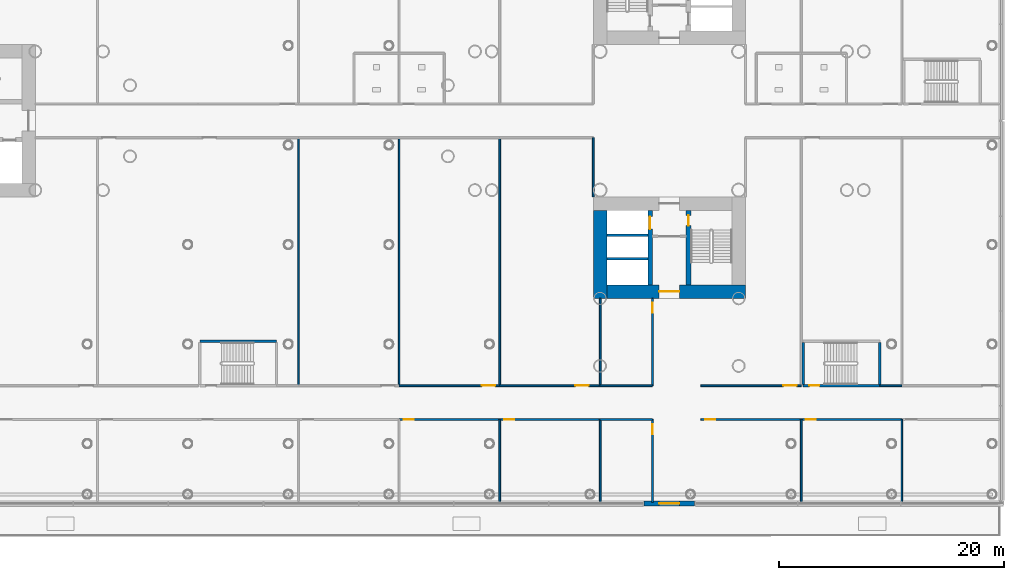
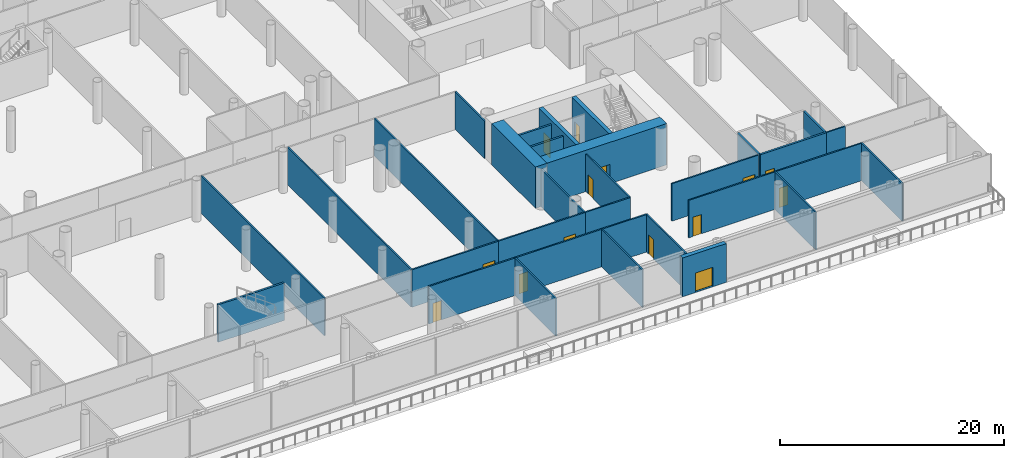
# One storey, part 20 of 51: 32 walls, 14 doors, 14 openings.
"""IFC4 building model written with IfcOpenShell, lengths in metres."""

from ifc_helpers import new_model, si_unit, direction, frame, frame_2d, origin, place, context, subcontext, project, spatial, rectangle, extrude, material, layer, layer_set, type_object, element, fill, save


model = new_model("IFC4")

# Units and contexts
model_context = context("Model", 3, precision=1e-05, world=origin(), true_north=direction((0.0, 1.0)))
body_context = subcontext(model_context, "Body", "Model", "MODEL_VIEW")
ifc_project = project(units=[si_unit("LENGTHUNIT", "METRE"), si_unit("AREAUNIT", "SQUARE_METRE"), si_unit("VOLUMEUNIT", "CUBIC_METRE"), si_unit("PLANEANGLEUNIT", "RADIAN"), si_unit("MASSUNIT", "GRAM", prefix="KILO")], contexts=[model_context])

# Site, building, storey
site_placement = place(None, origin())
site = spatial("IfcSite", under=ifc_project, at=site_placement, CompositionType="ELEMENT")
building_placement = place(site_placement, origin())
building = spatial("IfcBuilding", under=site, at=building_placement, Name="Ipe Terrace Towers", CompositionType="ELEMENT")
storey_placement = place(building_placement, frame((0.0, 0.0, 15.5)))
storey = spatial("IfcBuildingStorey", under=building, at=storey_placement, Name="L03", CompositionType="ELEMENT", Elevation=15.5)

# Walls
ifc_material_1 = material(Name="Gypsum board partition", Category="plasterboard")
ifc_layer_1 = layer(ifc_material_1, 0.14990234375)
ifc_layer_set_1 = layer_set([ifc_layer_1], Name="Gypsum board partition 150 mm")
wall_type_1 = type_object("IfcWallType", Name="Gypsum board partition 150 mm", PredefinedType="PARTITIONING", material=ifc_layer_set_1)
for number, where, z_axis, x_axis, name in (
    (1, (3.110107421875, -1.5, 0.0), (0.0, 0.0, 1.0), (0.0, -1.0, 0.0), "Gypsum board partition T2 L03 pd-r30-r34-w6"),
    (2, (12.030029296875, -1.5, 0.0), (0.0, 0.0, 1.0), (0.0, -1.0, 0.0), "Gypsum board partition T2 L03 pd-r34-r37-w17"),
):
    element("IfcWall", number, at=place(storey_placement, frame(where, z_axis=z_axis, x_axis=x_axis)), inside=storey, type_object=wall_type_1, Name=name, PredefinedType="PARTITIONING", context=body_context, shape_type="SweptSolid", body=[
        extrude(rectangle(XDim=22.0, YDim=0.14990234375, at=frame_2d((11.0, 0.0))), origin(), (0.0, 0.0, 1.0), 4.080078125),
    ])

# Wall, opening, door
wall_1_placement = place(storey_placement, frame((12.030029296875, -26.5, 0.0), z_axis=(0.0, 0.0, 1.0), x_axis=(1.0, 0.0, 0.0)))
wall_1 = element("IfcWall", 3, at=wall_1_placement, inside=storey, type_object=wall_type_1, Name="Gypsum board partition T2 L03 pd-r36-w20", PredefinedType="PARTITIONING", context=body_context, shape_type="SweptSolid", body=[
    extrude(rectangle(XDim=8.919921875, YDim=0.14990234375, at=frame_2d((4.4599609375, 0.0))), origin(), (0.0, 0.0, 1.0), 4.080078125),
])
opening_1_placement = place(wall_1_placement, frame((0.39990234375, 0.0, 0.0)))
opening_1 = element("IfcOpeningElement", 4, at=opening_1_placement, cuts=wall_1, Name="Opening PD-L03-r36", PredefinedType="OPENING", context=body_context, shape_type="SweptSolid", body=[
    extrude(rectangle(XDim=0.89990234375, YDim=2.10009765625, at=frame_2d((0.449951171875, 1.050048828125))), frame((0.0, 0.0849609375, 0.0), z_axis=(0.0, -1.0, 0.0), x_axis=(1.0, 0.0, 0.0)), (0.0, 0.0, 1.0), 0.169921875),
])
ifc_material_2 = material(Name="Fire-rated timber door leaf", Category="wood")
door_type_1 = type_object("IfcDoorType", Name="Lounge door 900 x 2100 FD30S", OperationType="NOTDEFINED", PredefinedType="DOOR", material=ifc_material_2)
door_1_placement = place(opening_1_placement, origin())
door_1 = element("IfcDoor", 5, at=door_1_placement, inside=storey, type_object=door_type_1, Name="Lounge door PD-L03-r36", OperationType="SINGLE_SWING_RIGHT", OverallHeight=2.10009765625, OverallWidth=0.89990234375, PredefinedType="DOOR", context=body_context, shape_type="SweptSolid", body=[
    extrude(rectangle(XDim=0.89990234375, YDim=2.10009765625, at=frame_2d((0.449951171875, 1.050048828125))), frame((0.0, 0.02490234375, 0.0), z_axis=(0.0, -1.0, 0.0), x_axis=(1.0, 0.0, 0.0)), (0.0, 0.0, 1.0), 0.050048828125),
])
fill(opening_1, door_1)

# Wall
wall_2_placement = place(storey_placement, frame((20.949951171875, -26.5, 0.0), z_axis=(0.0, 0.0, 1.0), x_axis=(0.0, -1.0, 0.0)))
element("IfcWall", 6, at=wall_2_placement, inside=storey, type_object=wall_type_1, Name="Gypsum board partition T2 L03 pd-r36-r42-w21", PredefinedType="PARTITIONING", context=body_context, shape_type="SweptSolid", body=[
    extrude(rectangle(XDim=7.35009765625, YDim=0.14990234375, at=frame_2d((3.675048828125, 0.0))), origin(), (0.0, 0.0, 1.0), 4.080078125),
])

# Wall, opening, door
wall_3_placement = place(storey_placement, frame((20.949951171875, -23.5, 0.0), z_axis=(0.0, 0.0, 1.0), x_axis=(-1.0, 0.0, 0.0)))
wall_3 = element("IfcWall", 7, at=wall_3_placement, inside=storey, type_object=wall_type_1, Name="Gypsum board partition T2 L03 pd-r37-w22", PredefinedType="PARTITIONING", context=body_context, shape_type="SweptSolid", body=[
    extrude(rectangle(XDim=8.919921875, YDim=0.14990234375, at=frame_2d((4.4599609375, 0.0))), origin(), (0.0, 0.0, 1.0), 4.080078125),
])
opening_2_placement = place(wall_3_placement, frame((0.39990234375, 0.0, 0.0)))
opening_2 = element("IfcOpeningElement", 8, at=opening_2_placement, cuts=wall_3, Name="Opening PD-L03-r37", PredefinedType="OPENING", context=body_context, shape_type="SweptSolid", body=[
    extrude(rectangle(XDim=1.199951171875, YDim=2.10009765625, at=frame_2d((0.60009765625, 1.050048828125))), frame((0.0, 0.0849609375, 0.0), z_axis=(0.0, -1.0, 0.0), x_axis=(1.0, 0.0, 0.0)), (0.0, 0.0, 1.0), 0.169921875),
])
ifc_material_3 = material(Name="Fire-rated timber door leaf", Category="wood")
door_type_2 = type_object("IfcDoorType", Name="Lounge door 1200 x 2100 FD30S", OperationType="NOTDEFINED", PredefinedType="DOOR", material=ifc_material_3)
door_2_placement = place(opening_2_placement, origin())
door_2 = element("IfcDoor", 9, at=door_2_placement, inside=storey, type_object=door_type_2, Name="Lounge door PD-L03-r37", OperationType="SINGLE_SWING_RIGHT", OverallHeight=2.10009765625, OverallWidth=1.199951171875, PredefinedType="DOOR", context=body_context, shape_type="SweptSolid", body=[
    extrude(rectangle(XDim=1.199951171875, YDim=2.10009765625, at=frame_2d((0.60009765625, 1.050048828125))), frame((0.0, 0.02490234375, 0.0), z_axis=(0.0, -1.0, 0.0), x_axis=(1.0, 0.0, 0.0)), (0.0, 0.0, 1.0), 0.050048828125),
])
fill(opening_2, door_2)

# Walls
wall_4_placement = place(storey_placement, frame((20.949951171875, -1.5, 0.0), z_axis=(0.0, 0.0, 1.0), x_axis=(0.0, -1.0, 0.0)))
element("IfcWall", 10, at=wall_4_placement, inside=storey, type_object=wall_type_1, Name="Gypsum board partition T2 L03 pd-r37-r40-w24", PredefinedType="PARTITIONING", context=body_context, shape_type="SweptSolid", body=[
    extrude(rectangle(XDim=22.0, YDim=0.14990234375, at=frame_2d((11.0, 0.0))), origin(), (0.0, 0.0, 1.0), 4.080078125),
])
wall_5_placement = place(storey_placement, frame((29.25, -1.5, 0.0), z_axis=(0.0, 0.0, 1.0), x_axis=(0.0, -1.0, 0.0)))
element("IfcWall", 11, at=wall_5_placement, inside=storey, type_object=wall_type_1, Name="Gypsum board partition T2 L03 pd-r40-w30", PredefinedType="PARTITIONING", context=body_context, shape_type="SweptSolid", body=[
    extrude(rectangle(XDim=5.25, YDim=0.14990234375, at=frame_2d((2.625, 0.0))), origin(), (0.0, 0.0, 1.0), 4.080078125),
])

# Wall, opening, door
wall_6_placement = place(storey_placement, frame((29.8701171875, -23.5, 0.0), z_axis=(0.0, 0.0, 1.0), x_axis=(-1.0, 0.0, 0.0)))
wall_6 = element("IfcWall", 12, at=wall_6_placement, inside=storey, type_object=wall_type_1, Name="Gypsum board partition T2 L03 pd-r40-w31", PredefinedType="PARTITIONING", context=body_context, shape_type="SweptSolid", body=[
    extrude(rectangle(XDim=8.920166015625, YDim=0.14990234375, at=frame_2d((4.4599609375, 0.0))), origin(), (0.0, 0.0, 1.0), 4.080078125),
])
opening_3_placement = place(wall_6_placement, frame((1.0, 0.0, 0.0)))
opening_3 = element("IfcOpeningElement", 13, at=opening_3_placement, cuts=wall_6, Name="Opening PD-L03-r40", PredefinedType="OPENING", context=body_context, shape_type="SweptSolid", body=[
    extrude(rectangle(XDim=1.199951171875, YDim=2.10009765625, at=frame_2d((0.60009765625, 1.050048828125))), frame((0.0, 0.0849609375, 0.0), z_axis=(0.0, -1.0, 0.0), x_axis=(1.0, 0.0, 0.0)), (0.0, 0.0, 1.0), 0.169921875),
])
door_3_placement = place(opening_3_placement, origin())
door_3 = element("IfcDoor", 14, at=door_3_placement, inside=storey, type_object=door_type_2, Name="Lounge door PD-L03-r40", OperationType="SINGLE_SWING_RIGHT", OverallHeight=2.10009765625, OverallWidth=1.199951171875, PredefinedType="DOOR", context=body_context, shape_type="SweptSolid", body=[
    extrude(rectangle(XDim=1.199951171875, YDim=2.10009765625, at=frame_2d((0.60009765625, 1.050048828125))), frame((0.0, 0.02490234375, 0.0), z_axis=(0.0, -1.0, 0.0), x_axis=(1.0, 0.0, 0.0)), (0.0, 0.0, 1.0), 0.050048828125),
])
fill(opening_3, door_3)

# Wall
wall_7_placement = place(storey_placement, frame((29.8701171875, -15.75, 0.0), z_axis=(0.0, 0.0, 1.0), x_axis=(0.0, -1.0, 0.0)))
element("IfcWall", 15, at=wall_7_placement, inside=storey, type_object=wall_type_1, Name="Gypsum board partition T2 L03 pd-r40-r45-w33", PredefinedType="PARTITIONING", context=body_context, shape_type="SweptSolid", body=[
    extrude(rectangle(XDim=7.75, YDim=0.14990234375, at=frame_2d((3.875, 0.0))), origin(), (0.0, 0.0, 1.0), 4.080078125),
])

# Wall, opening, door
wall_8_placement = place(storey_placement, frame((20.949951171875, -26.5, 0.0), z_axis=(0.0, 0.0, 1.0), x_axis=(1.0, 0.0, 0.0)))
wall_8 = element("IfcWall", 16, at=wall_8_placement, inside=storey, type_object=wall_type_1, Name="Gypsum board partition T2 L03 pd-r42-w38", PredefinedType="PARTITIONING", context=body_context, shape_type="SweptSolid", body=[
    extrude(rectangle(XDim=8.920166015625, YDim=0.14990234375, at=frame_2d((4.4599609375, 0.0))), origin(), (0.0, 0.0, 1.0), 4.080078125),
])
opening_4_placement = place(wall_8_placement, frame((0.39990234375, 0.0, 0.0)))
opening_4 = element("IfcOpeningElement", 17, at=opening_4_placement, cuts=wall_8, Name="Opening PD-L03-r42", PredefinedType="OPENING", context=body_context, shape_type="SweptSolid", body=[
    extrude(rectangle(XDim=0.89990234375, YDim=2.10009765625, at=frame_2d((0.449951171875, 1.050048828125))), frame((0.0, 0.0849609375, 0.0), z_axis=(0.0, -1.0, 0.0), x_axis=(1.0, 0.0, 0.0)), (0.0, 0.0, 1.0), 0.169921875),
])
door_4_placement = place(opening_4_placement, origin())
door_4 = element("IfcDoor", 18, at=door_4_placement, inside=storey, type_object=door_type_1, Name="Lounge door PD-L03-r42", OperationType="SINGLE_SWING_RIGHT", OverallHeight=2.10009765625, OverallWidth=0.89990234375, PredefinedType="DOOR", context=body_context, shape_type="SweptSolid", body=[
    extrude(rectangle(XDim=0.89990234375, YDim=2.10009765625, at=frame_2d((0.449951171875, 1.050048828125))), frame((0.0, 0.02490234375, 0.0), z_axis=(0.0, -1.0, 0.0), x_axis=(1.0, 0.0, 0.0)), (0.0, 0.0, 1.0), 0.050048828125),
])
fill(opening_4, door_4)

# Walls
wall_9_placement = place(storey_placement, frame((29.8701171875, -26.5, 0.0), z_axis=(0.0, 0.0, 1.0), x_axis=(0.0, -1.0, 0.0)))
element("IfcWall", 19, at=wall_9_placement, inside=storey, type_object=wall_type_1, Name="Gypsum board partition T2 L03 pd-r42-r44-w39", PredefinedType="PARTITIONING", context=body_context, shape_type="SweptSolid", body=[
    extrude(rectangle(XDim=7.35009765625, YDim=0.14990234375, at=frame_2d((3.675048828125, 0.0))), origin(), (0.0, 0.0, 1.0), 4.080078125),
])
wall_10_placement = place(storey_placement, frame((29.8701171875, -26.5, 0.0), z_axis=(0.0, 0.0, 1.0), x_axis=(1.0, 0.0, 0.0)))
element("IfcWall", 20, at=wall_10_placement, inside=storey, type_object=wall_type_1, Name="Gypsum board partition T2 L03 pd-r44-w41", PredefinedType="PARTITIONING", context=body_context, shape_type="SweptSolid", body=[
    extrude(rectangle(XDim=4.6298828125, YDim=0.14990234375, at=frame_2d((2.31494140625, 0.0))), origin(), (0.0, 0.0, 1.0), 4.080078125),
])

# Wall, opening, door
wall_11_placement = place(storey_placement, frame((34.5, -26.5, 0.0), z_axis=(0.0, 0.0, 1.0), x_axis=(0.0, -1.0, 0.0)))
wall_11 = element("IfcWall", 21, at=wall_11_placement, inside=storey, type_object=wall_type_1, Name="Gypsum board partition T2 L03 pd-r44-w42", PredefinedType="PARTITIONING", context=body_context, shape_type="SweptSolid", body=[
    extrude(rectangle(XDim=7.35009765625, YDim=0.14990234375, at=frame_2d((3.675048828125, 0.0))), origin(), (0.0, 0.0, 1.0), 4.080078125),
])
opening_5_placement = place(wall_11_placement, frame((0.39990234375, 0.0, 0.0)))
opening_5 = element("IfcOpeningElement", 22, at=opening_5_placement, cuts=wall_11, Name="Opening PD-L03-r44", PredefinedType="OPENING", context=body_context, shape_type="SweptSolid", body=[
    extrude(rectangle(XDim=0.89990234375, YDim=2.10009765625, at=frame_2d((0.449951171875, 1.050048828125))), frame((0.0, 0.0849609375, 0.0), z_axis=(0.0, -1.0, 0.0), x_axis=(1.0, 0.0, 0.0)), (0.0, 0.0, 1.0), 0.169921875),
])
door_5_placement = place(opening_5_placement, origin())
door_5 = element("IfcDoor", 23, at=door_5_placement, inside=storey, type_object=door_type_1, Name="Lounge door PD-L03-r44", OperationType="SINGLE_SWING_RIGHT", OverallHeight=2.10009765625, OverallWidth=0.89990234375, PredefinedType="DOOR", context=body_context, shape_type="SweptSolid", body=[
    extrude(rectangle(XDim=0.89990234375, YDim=2.10009765625, at=frame_2d((0.449951171875, 1.050048828125))), frame((0.0, 0.02490234375, 0.0), z_axis=(0.0, -1.0, 0.0), x_axis=(1.0, 0.0, 0.0)), (0.0, 0.0, 1.0), 0.050048828125),
])
fill(opening_5, door_5)

wall_12_placement = place(storey_placement, frame((34.5, -15.75, 0.0), z_axis=(0.0, 0.0, 1.0), x_axis=(0.0, -1.0, 0.0)))
wall_12 = element("IfcWall", 24, at=wall_12_placement, inside=storey, type_object=wall_type_1, Name="Gypsum board partition T2 L03 pd-r45-w43", PredefinedType="PARTITIONING", context=body_context, shape_type="SweptSolid", body=[
    extrude(rectangle(XDim=7.75, YDim=0.14990234375, at=frame_2d((3.875, 0.0))), origin(), (0.0, 0.0, 1.0), 4.080078125),
])
opening_6_placement = place(wall_12_placement, frame((0.39990234375, 0.0, 0.0)))
opening_6 = element("IfcOpeningElement", 25, at=opening_6_placement, cuts=wall_12, Name="Opening PD-L03-r45", PredefinedType="OPENING", context=body_context, shape_type="SweptSolid", body=[
    extrude(rectangle(XDim=0.89990234375, YDim=2.10009765625, at=frame_2d((0.449951171875, 1.050048828125))), frame((0.0, 0.0849609375, 0.0), z_axis=(0.0, -1.0, 0.0), x_axis=(1.0, 0.0, 0.0)), (0.0, 0.0, 1.0), 0.169921875),
])
door_6_placement = place(opening_6_placement, origin())
door_6 = element("IfcDoor", 26, at=door_6_placement, inside=storey, type_object=door_type_1, Name="Lounge door PD-L03-r45", OperationType="SINGLE_SWING_RIGHT", OverallHeight=2.10009765625, OverallWidth=0.89990234375, PredefinedType="DOOR", context=body_context, shape_type="SweptSolid", body=[
    extrude(rectangle(XDim=0.89990234375, YDim=2.10009765625, at=frame_2d((0.449951171875, 1.050048828125))), frame((0.0, 0.02490234375, 0.0), z_axis=(0.0, -1.0, 0.0), x_axis=(1.0, 0.0, 0.0)), (0.0, 0.0, 1.0), 0.050048828125),
])
fill(opening_6, door_6)

# Wall
wall_13_placement = place(storey_placement, frame((34.5, -23.5, 0.0), z_axis=(0.0, 0.0, 1.0), x_axis=(-1.0, 0.0, 0.0)))
element("IfcWall", 27, at=wall_13_placement, inside=storey, type_object=wall_type_1, Name="Gypsum board partition T2 L03 pd-r45-w44", PredefinedType="PARTITIONING", context=body_context, shape_type="SweptSolid", body=[
    extrude(rectangle(XDim=4.6298828125, YDim=0.14990234375, at=frame_2d((2.31494140625, 0.0))), origin(), (0.0, 0.0, 1.0), 4.080078125),
])

# Wall, opening, door
wall_14_placement = place(storey_placement, frame((38.7900390625, -26.5, 0.0), z_axis=(0.0, 0.0, 1.0), x_axis=(1.0, 0.0, 0.0)))
wall_14 = element("IfcWall", 28, at=wall_14_placement, inside=storey, type_object=wall_type_1, Name="Gypsum board partition T2 L03 pd-r47-w47", PredefinedType="PARTITIONING", context=body_context, shape_type="SweptSolid", body=[
    extrude(rectangle(XDim=8.919921875, YDim=0.14990234375, at=frame_2d((4.4599609375, 0.0))), origin(), (0.0, 0.0, 1.0), 4.080078125),
])
opening_7_placement = place(wall_14_placement, frame((0.39990234375, 0.0, 0.0)))
opening_7 = element("IfcOpeningElement", 29, at=opening_7_placement, cuts=wall_14, Name="Opening PD-L03-r47", PredefinedType="OPENING", context=body_context, shape_type="SweptSolid", body=[
    extrude(rectangle(XDim=0.89990234375, YDim=2.10009765625, at=frame_2d((0.449951171875, 1.050048828125))), frame((0.0, 0.0849609375, 0.0), z_axis=(0.0, -1.0, 0.0), x_axis=(1.0, 0.0, 0.0)), (0.0, 0.0, 1.0), 0.169921875),
])
door_7_placement = place(opening_7_placement, origin())
door_7 = element("IfcDoor", 30, at=door_7_placement, inside=storey, type_object=door_type_1, Name="Lounge door PD-L03-r47", OperationType="SINGLE_SWING_RIGHT", OverallHeight=2.10009765625, OverallWidth=0.89990234375, PredefinedType="DOOR", context=body_context, shape_type="SweptSolid", body=[
    extrude(rectangle(XDim=0.89990234375, YDim=2.10009765625, at=frame_2d((0.449951171875, 1.050048828125))), frame((0.0, 0.02490234375, 0.0), z_axis=(0.0, -1.0, 0.0), x_axis=(1.0, 0.0, 0.0)), (0.0, 0.0, 1.0), 0.050048828125),
])
fill(opening_7, door_7)

# Wall
wall_15_placement = place(storey_placement, frame((47.7099609375, -26.5, 0.0), z_axis=(0.0, 0.0, 1.0), x_axis=(0.0, -1.0, 0.0)))
element("IfcWall", 31, at=wall_15_placement, inside=storey, type_object=wall_type_1, Name="Gypsum board partition T2 L03 pd-r47-r51-w48", PredefinedType="PARTITIONING", context=body_context, shape_type="SweptSolid", body=[
    extrude(rectangle(XDim=7.35009765625, YDim=0.14990234375, at=frame_2d((3.675048828125, 0.0))), origin(), (0.0, 0.0, 1.0), 4.080078125),
])

# Wall, opening, door
wall_16_placement = place(storey_placement, frame((47.7099609375, -23.5, 0.0), z_axis=(0.0, 0.0, 1.0), x_axis=(-1.0, 0.0, 0.0)))
wall_16 = element("IfcWall", 32, at=wall_16_placement, inside=storey, type_object=wall_type_1, Name="Gypsum board partition T2 L03 pd-r50-w57", PredefinedType="PARTITIONING", context=body_context, shape_type="SweptSolid", body=[
    extrude(rectangle(XDim=8.919921875, YDim=0.14990234375, at=frame_2d((4.4599609375, 0.0))), origin(), (0.0, 0.0, 1.0), 4.080078125),
])
opening_8_placement = place(wall_16_placement, frame((0.39990234375, 0.0, 0.0)))
opening_8 = element("IfcOpeningElement", 33, at=opening_8_placement, cuts=wall_16, Name="Opening PD-L03-r50", PredefinedType="OPENING", context=body_context, shape_type="SweptSolid", body=[
    extrude(rectangle(XDim=1.199951171875, YDim=2.10009765625, at=frame_2d((0.60009765625, 1.050048828125))), frame((0.0, 0.0849609375, 0.0), z_axis=(0.0, -1.0, 0.0), x_axis=(1.0, 0.0, 0.0)), (0.0, 0.0, 1.0), 0.169921875),
])
door_8_placement = place(opening_8_placement, origin())
door_8 = element("IfcDoor", 34, at=door_8_placement, inside=storey, type_object=door_type_2, Name="Lounge door PD-L03-r50", OperationType="SINGLE_SWING_RIGHT", OverallHeight=2.10009765625, OverallWidth=1.199951171875, PredefinedType="DOOR", context=body_context, shape_type="SweptSolid", body=[
    extrude(rectangle(XDim=1.199951171875, YDim=2.10009765625, at=frame_2d((0.60009765625, 1.050048828125))), frame((0.0, 0.02490234375, 0.0), z_axis=(0.0, -1.0, 0.0), x_axis=(1.0, 0.0, 0.0)), (0.0, 0.0, 1.0), 0.050048828125),
])
fill(opening_8, door_8)

wall_17_placement = place(storey_placement, frame((47.7099609375, -26.5, 0.0), z_axis=(0.0, 0.0, 1.0), x_axis=(1.0, 0.0, 0.0)))
wall_17 = element("IfcWall", 35, at=wall_17_placement, inside=storey, type_object=wall_type_1, Name="Gypsum board partition T2 L03 pd-r51-w59", PredefinedType="PARTITIONING", context=body_context, shape_type="SweptSolid", body=[
    extrude(rectangle(XDim=8.919921875, YDim=0.14990234375, at=frame_2d((4.4599609375, 0.0))), origin(), (0.0, 0.0, 1.0), 4.080078125),
])
opening_9_placement = place(wall_17_placement, frame((0.39990234375, 0.0, 0.0)))
opening_9 = element("IfcOpeningElement", 36, at=opening_9_placement, cuts=wall_17, Name="Opening PD-L03-r51", PredefinedType="OPENING", context=body_context, shape_type="SweptSolid", body=[
    extrude(rectangle(XDim=0.89990234375, YDim=2.10009765625, at=frame_2d((0.449951171875, 1.050048828125))), frame((0.0, 0.0849609375, 0.0), z_axis=(0.0, -1.0, 0.0), x_axis=(1.0, 0.0, 0.0)), (0.0, 0.0, 1.0), 0.169921875),
])
door_9_placement = place(opening_9_placement, origin())
door_9 = element("IfcDoor", 37, at=door_9_placement, inside=storey, type_object=door_type_1, Name="Lounge door PD-L03-r51", OperationType="SINGLE_SWING_RIGHT", OverallHeight=2.10009765625, OverallWidth=0.89990234375, PredefinedType="DOOR", context=body_context, shape_type="SweptSolid", body=[
    extrude(rectangle(XDim=0.89990234375, YDim=2.10009765625, at=frame_2d((0.449951171875, 1.050048828125))), frame((0.0, 0.02490234375, 0.0), z_axis=(0.0, -1.0, 0.0), x_axis=(1.0, 0.0, 0.0)), (0.0, 0.0, 1.0), 0.050048828125),
])
fill(opening_9, door_9)

# Walls
wall_18_placement = place(storey_placement, frame((56.6298828125, -26.5, 0.0), z_axis=(0.0, 0.0, 1.0), x_axis=(0.0, -1.0, 0.0)))
element("IfcWall", 38, at=wall_18_placement, inside=storey, type_object=wall_type_1, Name="Gypsum board partition T2 L03 pd-r51-r55-w60", PredefinedType="PARTITIONING", context=body_context, shape_type="SweptSolid", body=[
    extrude(rectangle(XDim=7.35009765625, YDim=0.14990234375, at=frame_2d((3.675048828125, 0.0))), origin(), (0.0, 0.0, 1.0), 4.080078125),
])
wall_19_placement = place(storey_placement, frame((56.6298828125, -23.5, 0.0), z_axis=(0.0, 0.0, 1.0), x_axis=(-1.0, 0.0, 0.0)))
element("IfcWall", 39, at=wall_19_placement, inside=storey, type_object=wall_type_1, Name="Gypsum board partition T2 L03 pd-r53-w63", PredefinedType="PARTITIONING", context=body_context, shape_type="SweptSolid", body=[
    extrude(rectangle(XDim=1.9599609375, YDim=0.14990234375, at=frame_2d((0.97998046875, 0.0))), origin(), (0.0, 0.0, 1.0), 4.080078125),
])
ifc_material_4 = material(Name="Gypsum board party wall", Category="plasterboard")
ifc_layer_2 = layer(ifc_material_4, 0.199951171875)
ifc_layer_set_2 = layer_set([ifc_layer_2], Name="Gypsum board party wall 200 mm")
wall_type_2 = type_object("IfcWallType", Name="Gypsum board party wall 200 mm", PredefinedType="SOLIDWALL", material=ifc_layer_set_2)
for number, where, z_axis, x_axis, name in (
    (40, (30.449951171875, -10.14990234375, 0.0), (0.0, 0.0, 1.0), (1.0, 0.0, 0.0), "Gypsum board party wall T2 L03 t2c2-shaft-div1"),
    (41, (30.449951171875, -12.25, 0.0), (0.0, 0.0, 1.0), (1.0, 0.0, 0.0), "Gypsum board party wall T2 L03 t2c2-shaft-div2"),
):
    element("IfcWall", number, at=place(storey_placement, frame(where, z_axis=z_axis, x_axis=x_axis)), inside=storey, type_object=wall_type_2, Name=name, PredefinedType="SOLIDWALL", context=body_context, shape_type="SweptSolid", body=[
        extrude(rectangle(XDim=3.650146484375, YDim=0.199951171875, at=frame_2d((1.8251953125, 0.0))), origin(), (0.0, 0.0, 1.0), 4.080078125),
    ])

# Wall, opening, door
ifc_material_5 = material(Name="Concrete C40/50 with buff precast cladding", Category="concrete")
ifc_layer_3 = layer(ifc_material_5, 0.43994140625)
ifc_layer_set_3 = layer_set([ifc_layer_3], Name="PODIUM CLADDING WALL 440")
wall_type_3 = type_object("IfcWallType", Name="PODIUM CLADDING WALL 440", PredefinedType="STANDARD", material=ifc_layer_set_3)
wall_20_placement = place(storey_placement, frame((33.75, -33.969970703125, -0.02001953125), z_axis=(0.0, 0.0, 1.0), x_axis=(1.0, 0.0, 0.0)))
wall_20 = element("IfcWall", 42, at=wall_20_placement, inside=storey, type_object=wall_type_3, Name="POD-W-L03-03e wall", PredefinedType="STANDARD", context=body_context, shape_type="SweptSolid", body=[
    extrude(rectangle(XDim=4.5, YDim=0.43994140625, at=frame_2d((2.25, 0.0))), origin(), (0.0, 0.0, 1.0), 4.219970703125),
])
opening_10_placement = place(wall_20_placement, frame((1.35009765625, 0.0, 0.02001953125)))
opening_10 = element("IfcOpeningElement", 43, at=opening_10_placement, cuts=wall_20, Name="Opening POD-D-L03-01", PredefinedType="OPENING", context=body_context, shape_type="SweptSolid", body=[
    extrude(rectangle(XDim=1.800048828125, YDim=2.10009765625, at=frame_2d((0.89990234375, 1.050048828125))), frame((0.0, 0.22998046875, 0.0), z_axis=(0.0, -1.0, 0.0), x_axis=(1.0, 0.0, 0.0)), (0.0, 0.0, 1.0), 0.4599609375),
])
ifc_material_6 = material(Name="Aluminium alloy 6063-T6 framed glazed door", Category="aluminium")
door_type_3 = type_object("IfcDoorType", Name="PODIUM TERRACE DOOR 1800 x 2100", OperationType="DOUBLE_DOOR_SINGLE_SWING", PredefinedType="DOOR", material=ifc_material_6)
door_10_placement = place(opening_10_placement, origin())
door_10 = element("IfcDoor", 44, at=door_10_placement, inside=storey, type_object=door_type_3, Name="DT2 terrace door", OperationType="DOUBLE_DOOR_SINGLE_SWING", OverallHeight=2.10009765625, OverallWidth=1.800048828125, PredefinedType="DOOR", context=body_context, shape_type="SweptSolid", body=[
    extrude(rectangle(XDim=1.800048828125, YDim=2.10009765625, at=frame_2d((0.89990234375, 1.050048828125))), frame((0.0, 0.02490234375, 0.0), z_axis=(0.0, -1.0, 0.0), x_axis=(1.0, 0.0, 0.0)), (0.0, 0.0, 1.0), 0.050048828125),
])
fill(opening_10, door_10)

ifc_material_7 = material(Name="Concrete C60/75", Category="concrete")
ifc_layer_4 = layer(ifc_material_7, 1.199951171875)
ifc_layer_set_4 = layer_set([ifc_layer_4], Name="RW1200 CORE WALL 1200 C60-75")
wall_type_4 = type_object("IfcWallType", Name="RW1200 CORE WALL 1200 C60-75", PredefinedType="SHEAR", material=ifc_layer_set_4)
wall_21_placement = place(storey_placement, frame((30.449951171875, -15.14990234375, 0.0), z_axis=(0.0, 0.0, 1.0), x_axis=(1.0, 0.0, 0.0)))
wall_21 = element("IfcWall", 45, at=wall_21_placement, inside=storey, type_object=wall_type_4, Name="Core wall T2-C2-P-W01", PredefinedType="SHEAR", context=body_context, shape_type="SweptSolid", body=[
    extrude(rectangle(XDim=12.300048828125, YDim=1.199951171875, at=frame_2d((6.14990234375, 0.0))), origin(), (0.0, 0.0, 1.0), 4.5),
])
opening_11_placement = place(wall_21_placement, frame((4.64990234375, 0.0, 0.0)))
opening_11 = element("IfcOpeningElement", 46, at=opening_11_placement, cuts=wall_21, Name="Opening T2C2-FD", PredefinedType="OPENING", context=body_context, shape_type="SweptSolid", body=[
    extrude(rectangle(XDim=1.800048828125, YDim=2.10009765625, at=frame_2d((0.89990234375, 1.050048828125))), frame((0.0, 0.60986328125, 0.0), z_axis=(0.0, -1.0, 0.0), x_axis=(1.0, 0.0, 0.0)), (0.0, 0.0, 1.0), 1.219970703125),
])
ifc_material_8 = material(Name="Fire-rated timber door leaf", Category="wood")
door_type_4 = type_object("IfcDoorType", Name="Fire door 1800 x 2100 FD30S", OperationType="NOTDEFINED", PredefinedType="DOOR", material=ifc_material_8)
door_11_placement = place(opening_11_placement, origin())
door_11 = element("IfcDoor", 47, at=door_11_placement, inside=storey, type_object=door_type_4, Name="Fire door T2C2-FD", OperationType="SINGLE_SWING_LEFT", OverallHeight=2.10009765625, OverallWidth=1.800048828125, PredefinedType="DOOR", context=body_context, shape_type="SweptSolid", body=[
    extrude(rectangle(XDim=1.800048828125, YDim=2.10009765625, at=frame_2d((0.89990234375, 1.050048828125))), frame((0.0, 0.02490234375, 0.0), z_axis=(0.0, -1.0, 0.0), x_axis=(1.0, 0.0, 0.0)), (0.0, 0.0, 1.0), 0.050048828125),
])
fill(opening_11, door_11)

# Walls
wall_22_placement = place(storey_placement, frame((29.85009765625, -7.949951171875, 0.0), z_axis=(0.0, 0.0, 1.0), x_axis=(0.0, -1.0, 0.0)))
element("IfcWall", 48, at=wall_22_placement, inside=storey, type_object=wall_type_4, Name="Core wall T2-C2-P-W04", PredefinedType="SHEAR", context=body_context, shape_type="SweptSolid", body=[
    extrude(rectangle(XDim=7.800048828125, YDim=1.199951171875, at=frame_2d((3.89990234375, 0.0))), origin(), (0.0, 0.0, 1.0), 4.5),
])
ifc_material_9 = material(Name="Concrete C40/50", Category="concrete")
ifc_layer_5 = layer(ifc_material_9, 0.199951171875)
ifc_layer_set_5 = layer_set([ifc_layer_5], Name="RW200 PODIUM STAIR SHAFT WALL 200 C40-50")
wall_type_5 = type_object("IfcWallType", Name="RW200 PODIUM STAIR SHAFT WALL 200 C40-50", PredefinedType="SHEAR", material=ifc_layer_set_5)
wall_23_placement = place(storey_placement, frame((-5.64990234375, -19.550048828125, 0.0), z_axis=(0.0, 0.0, 1.0), x_axis=(1.0, 0.0, 0.0)))
element("IfcWall", 49, at=wall_23_placement, inside=storey, type_object=wall_type_5, Name="Stair shaft wall T1 L03 ps5-f", PredefinedType="SHEAR", context=body_context, shape_type="SweptSolid", body=[
    extrude(rectangle(XDim=6.7998046875, YDim=0.199951171875, at=frame_2d((3.39990234375, 0.0))), origin(), (0.0, 0.0, 1.0), 4.080078125),
])

# Wall, opening, door
wall_24_placement = place(storey_placement, frame((47.8701171875, -23.5, 0.0), z_axis=(0.0, 0.0, 1.0), x_axis=(1.0, 0.0, 0.0)))
wall_24 = element("IfcWall", 50, at=wall_24_placement, inside=storey, type_object=wall_type_5, Name="Stair shaft wall T2 L03 ps6-c", PredefinedType="SHEAR", context=body_context, shape_type="SweptSolid", body=[
    extrude(rectangle(XDim=6.7998046875, YDim=0.199951171875, at=frame_2d((3.39990234375, 0.0))), origin(), (0.0, 0.0, 1.0), 4.080078125),
])
opening_12_placement = place(wall_24_placement, frame((0.550048828125, 0.0, 0.0)))
opening_12 = element("IfcOpeningElement", 51, at=opening_12_placement, cuts=wall_24, Name="Opening PS6-SD", PredefinedType="OPENING", context=body_context, shape_type="SweptSolid", body=[
    extrude(rectangle(XDim=0.89990234375, YDim=2.10009765625, at=frame_2d((0.449951171875, 1.050048828125))), frame((0.0, 0.10986328125, 0.0), z_axis=(0.0, -1.0, 0.0), x_axis=(1.0, 0.0, 0.0)), (0.0, 0.0, 1.0), 0.219970703125),
])
ifc_material_10 = material(Name="Fire-rated timber door leaf", Category="wood")
door_type_5 = type_object("IfcDoorType", Name="Stair door 900 x 2100 FD60", OperationType="NOTDEFINED", PredefinedType="DOOR", material=ifc_material_10)
door_12_placement = place(opening_12_placement, origin())
door_12 = element("IfcDoor", 52, at=door_12_placement, inside=storey, type_object=door_type_5, Name="Stair door PS6-SD", OperationType="SINGLE_SWING_RIGHT", OverallHeight=2.10009765625, OverallWidth=0.89990234375, PredefinedType="DOOR", context=body_context, shape_type="SweptSolid", body=[
    extrude(rectangle(XDim=0.89990234375, YDim=2.10009765625, at=frame_2d((0.449951171875, 1.050048828125))), frame((0.0, 0.02490234375, 0.0), z_axis=(0.0, -1.0, 0.0), x_axis=(1.0, 0.0, 0.0)), (0.0, 0.0, 1.0), 0.050048828125),
])
fill(opening_12, door_12)

# Walls
for number, where, z_axis, x_axis, name in (
    (53, (47.8701171875, -23.39990234375, 0.0), (0.0, 0.0, 1.0), (0.0, 1.0, 0.0), "Stair shaft wall T2 L03 ps6-w"),
    (54, (54.669921875, -23.39990234375, 0.0), (0.0, 0.0, 1.0), (0.0, 1.0, 0.0), "Stair shaft wall T2 L03 ps6-e"),
):
    element("IfcWall", number, at=place(storey_placement, frame(where, z_axis=z_axis, x_axis=x_axis)), inside=storey, type_object=wall_type_5, Name=name, PredefinedType="SHEAR", context=body_context, shape_type="SweptSolid", body=[
        extrude(rectangle(XDim=3.75, YDim=0.199951171875, at=frame_2d((1.875, 0.0))), origin(), (0.0, 0.0, 1.0), 4.080078125),
    ])

# Wall, opening, door
ifc_material_11 = material(Name="Concrete C60/75", Category="concrete")
ifc_layer_6 = layer(ifc_material_11, 0.39990234375)
ifc_layer_set_6 = layer_set([ifc_layer_6], Name="RW400 CORE SPINE WALL 400 C60-75")
wall_type_6 = type_object("IfcWallType", Name="RW400 CORE SPINE WALL 400 C60-75", PredefinedType="SHEAR", material=ifc_layer_set_6)
wall_25_placement = place(storey_placement, frame((34.300048828125, -14.550048828125, 0.0), z_axis=(0.0, 0.0, 1.0), x_axis=(0.0, 1.0, 0.0)))
wall_25 = element("IfcWall", 55, at=wall_25_placement, inside=storey, type_object=wall_type_6, Name="Core spine wall T2-C2-P-SW1", PredefinedType="SHEAR", context=body_context, shape_type="SweptSolid", body=[
    extrude(rectangle(XDim=6.60009765625, YDim=0.39990234375, at=frame_2d((3.300048828125, 0.0))), origin(), (0.0, 0.0, 1.0), 4.5),
])
opening_13_placement = place(wall_25_placement, frame((4.949951171875, 0.0, 0.0)))
opening_13 = element("IfcOpeningElement", 56, at=opening_13_placement, cuts=wall_25, Name="Opening T2C2-LD1", PredefinedType="OPENING", context=body_context, shape_type="SweptSolid", body=[
    extrude(rectangle(XDim=1.10009765625, YDim=2.10009765625, at=frame_2d((0.550048828125, 1.050048828125))), frame((0.0, 0.2099609375, 0.0), z_axis=(0.0, -1.0, 0.0), x_axis=(1.0, 0.0, 0.0)), (0.0, 0.0, 1.0), 0.419921875),
])
ifc_material_12 = material(Name="Fire-rated timber door leaf", Category="wood")
door_type_6 = type_object("IfcDoorType", Name="Sliding door 1100 x 2100 FD60", OperationType="SLIDING_TO_LEFT", PredefinedType="DOOR", material=ifc_material_12)
door_13_placement = place(opening_13_placement, origin())
door_13 = element("IfcDoor", 57, at=door_13_placement, inside=storey, type_object=door_type_6, Name="Sliding door T2C2-LD1", OperationType="SLIDING_TO_LEFT", OverallHeight=2.10009765625, OverallWidth=1.10009765625, PredefinedType="DOOR", context=body_context, shape_type="SweptSolid", body=[
    extrude(rectangle(XDim=1.10009765625, YDim=2.10009765625, at=frame_2d((0.550048828125, 1.050048828125))), frame((0.0, 0.02490234375, 0.0), z_axis=(0.0, -1.0, 0.0), x_axis=(1.0, 0.0, 0.0)), (0.0, 0.0, 1.0), 0.050048828125),
])
fill(opening_13, door_13)

wall_26_placement = place(storey_placement, frame((37.699951171875, -14.550048828125, 0.0), z_axis=(0.0, 0.0, 1.0), x_axis=(0.0, 1.0, 0.0)))
wall_26 = element("IfcWall", 58, at=wall_26_placement, inside=storey, type_object=wall_type_6, Name="Core spine wall T2-C2-P-SW2", PredefinedType="SHEAR", context=body_context, shape_type="SweptSolid", body=[
    extrude(rectangle(XDim=6.60009765625, YDim=0.39990234375, at=frame_2d((3.300048828125, 0.0))), origin(), (0.0, 0.0, 1.0), 4.5),
])
opening_14_placement = place(wall_26_placement, frame((5.25, 0.0, 0.0)))
opening_14 = element("IfcOpeningElement", 59, at=opening_14_placement, cuts=wall_26, Name="Opening T2C2-SD", PredefinedType="OPENING", context=body_context, shape_type="SweptSolid", body=[
    extrude(rectangle(XDim=0.89990234375, YDim=2.10009765625, at=frame_2d((0.449951171875, 1.050048828125))), frame((0.0, 0.2099609375, 0.0), z_axis=(0.0, -1.0, 0.0), x_axis=(1.0, 0.0, 0.0)), (0.0, 0.0, 1.0), 0.419921875),
])
door_14_placement = place(opening_14_placement, origin())
door_14 = element("IfcDoor", 60, at=door_14_placement, inside=storey, type_object=door_type_5, Name="Stair door T2C2-SD", OperationType="SINGLE_SWING_RIGHT", OverallHeight=2.10009765625, OverallWidth=0.89990234375, PredefinedType="DOOR", context=body_context, shape_type="SweptSolid", body=[
    extrude(rectangle(XDim=0.89990234375, YDim=2.10009765625, at=frame_2d((0.449951171875, 1.050048828125))), frame((0.0, 0.02490234375, 0.0), z_axis=(0.0, -1.0, 0.0), x_axis=(1.0, 0.0, 0.0)), (0.0, 0.0, 1.0), 0.050048828125),
])
fill(opening_14, door_14)

save(model, "model.ifc")
